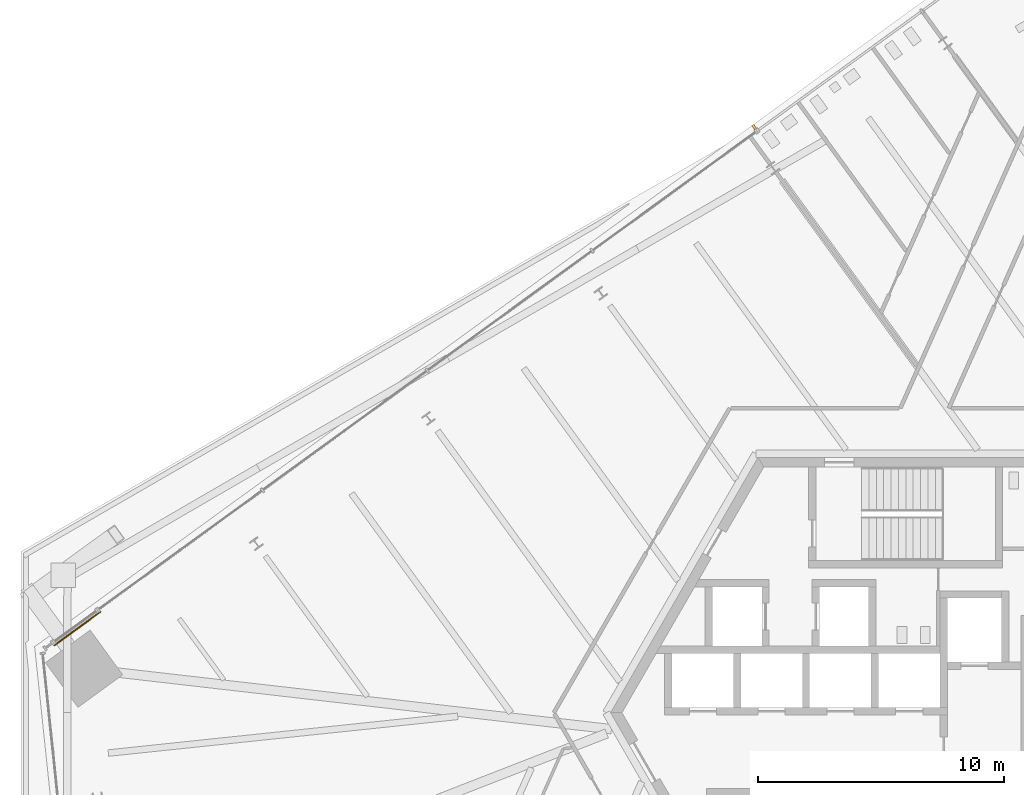
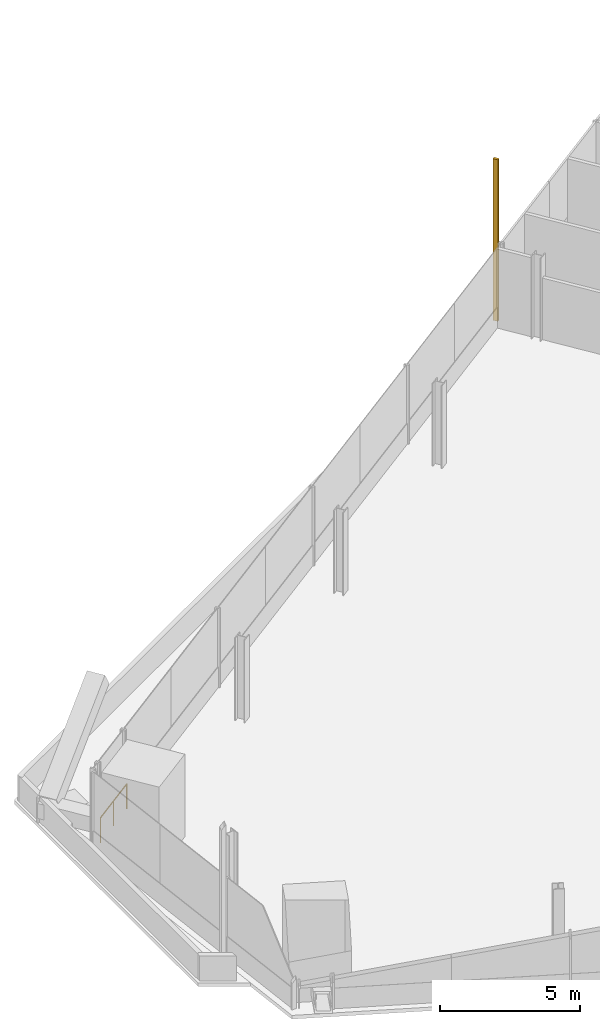
# One storey, part 22 of 24: 1 railing, 1 shading device.
"""IFC4 building model written with IfcOpenShell, lengths in metres."""

from ifc_helpers import new_model, si_unit, direction, frame, origin, origin_2d, place, context, subcontext, project, spatial, rectangle, circle, extrude, source, transform, mapped, material, type_object, element, save


model = new_model("IFC4")

# Units and contexts
model_context = context("Model", 3, precision=1e-05, world=origin(), true_north=direction((0.0, 1.0)))
body_context = subcontext(model_context, "Body", "Model", "MODEL_VIEW")
ifc_project = project(units=[si_unit("LENGTHUNIT", "METRE"), si_unit("AREAUNIT", "SQUARE_METRE"), si_unit("VOLUMEUNIT", "CUBIC_METRE"), si_unit("PLANEANGLEUNIT", "RADIAN"), si_unit("MASSUNIT", "GRAM", prefix="KILO")], contexts=[model_context])

# Site, building, storey
site_placement = place(None, origin())
site = spatial("IfcSite", under=ifc_project, at=site_placement, CompositionType="ELEMENT")
building_placement = place(site_placement, origin())
building = spatial("IfcBuilding", under=site, at=building_placement, Name="Triune Harvest Tower", CompositionType="ELEMENT")
storey_placement = place(building_placement, frame((0.0, 0.0, 58.5)))
storey = spatial("IfcBuildingStorey", under=building, at=storey_placement, Name="L13", CompositionType="ELEMENT", Elevation=58.5)

# Railing
ifc_material_1 = material(Name="Glass", Category="glass")
railing_type = type_object("IfcRailingType", Name="GD-3 facade guard 1100", PredefinedType="GUARDRAIL", material=ifc_material_1)
railing_placement = place(storey_placement, frame((-32.766845703125, 4.09619140625, 0.0)))
element("IfcRailing", 1, at=railing_placement, inside=storey, type_object=railing_type, Name="Facade guard B2-F3 L13.1.2", PredefinedType="GUARDRAIL", context=body_context, shape_type="SweptSolid", body=[
    extrude(circle(Radius=0.02392578125, at=origin_2d()), frame((0.0, 0.0, 1.076171875), z_axis=(-0.808996735442, -0.58781313531, 0.0), x_axis=(0.58781313531, -0.808996735442, 0.0)), (0.0, 0.0, 1.0), 2.30810546875),
    extrude(circle(Radius=0.02099609375, at=origin_2d()), origin(), (0.0, 0.0, 1.0), 1.052001953125),
    extrude(circle(Radius=0.02099609375, at=origin_2d()), frame((-0.93359375, -0.67822265625, 0.0)), (0.0, 0.0, 1.0), 1.052001953125),
    extrude(circle(Radius=0.02099609375, at=origin_2d()), frame((-1.8671875, -1.356689453125, 0.0)), (0.0, 0.0, 1.0), 1.052001953125),
])

# Shading device
ifc_material_2 = material(Name="Aluminium bronze anodised", Category="aluminium")
shared_shape = source(origin(), body_context, "Body", "SweptSolid", [
    extrude(rectangle(XDim=0.10009765625, YDim=0.199951171875, at=origin_2d()), origin(), (0.0, 0.0, 1.0), 7.0400390625),
])
shading_device_placement = place(storey_placement, frame((-6.160400390625, 23.827392578125, 0.0), z_axis=(0.0, 0.0, 1.0), x_axis=(-0.809017013446, -0.587785226043, 0.0)))
element("IfcShadingDevice", 2, at=shading_device_placement, inside=storey, material=ifc_material_2, Name="FN-1 fin B2-F3.5 L13", ObjectType="FIN", PredefinedType="USERDEFINED", context=body_context, shape_type="MappedRepresentation", body=[
    mapped(shared_shape, transform((0.0, 0.0, 0.0), scale=1.0)),
])

save(model, "model.ifc")
